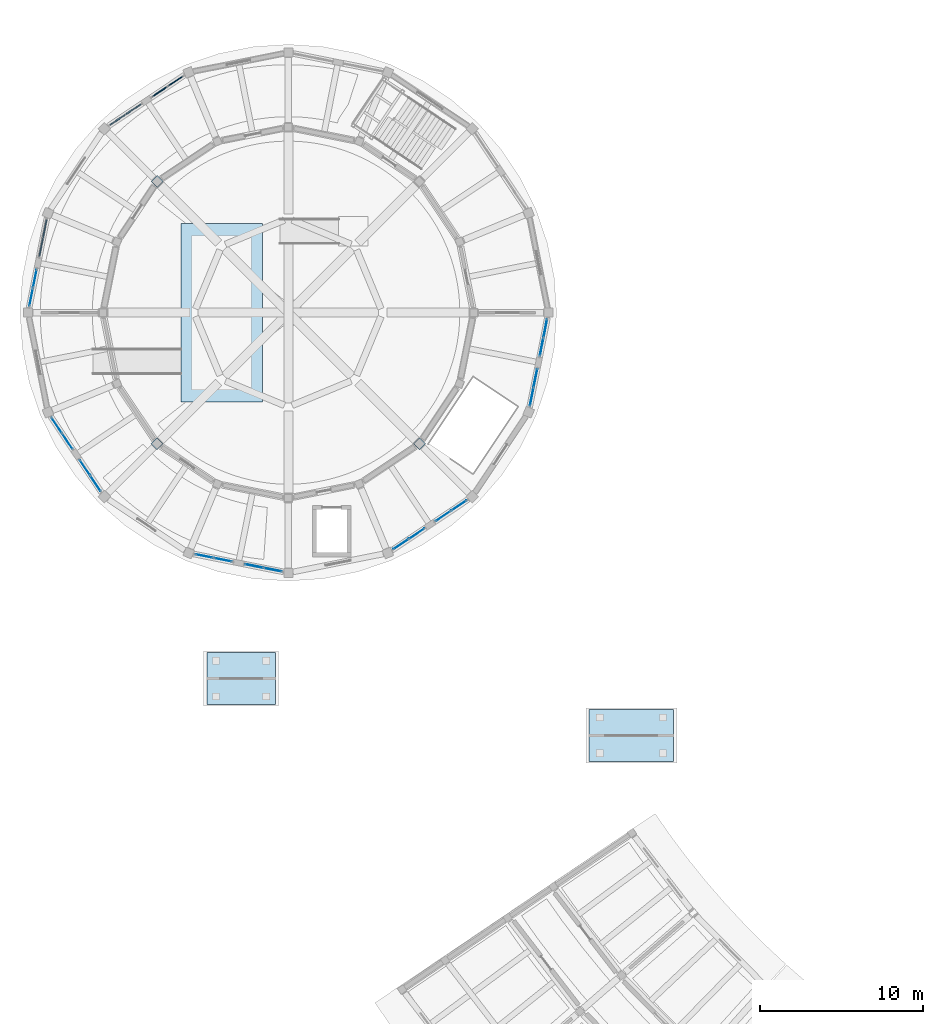
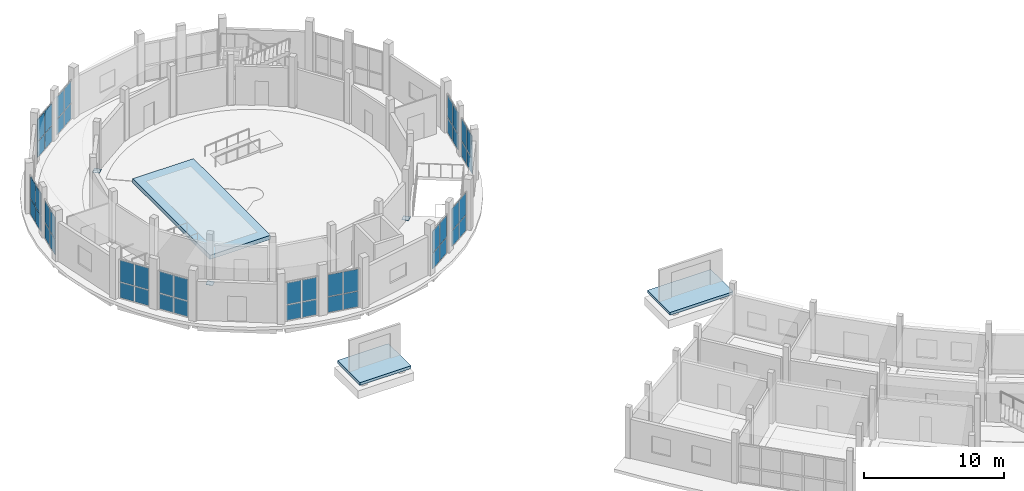
# One storey, part 54 of 92: 51 plates, 3 slabs, 12 elements without a shape of their own.
"""IFC4 building model written with IfcOpenShell, lengths in metres."""

from ifc_helpers import new_model, si_unit, direction, frame, origin, origin_2d, place, context, subcontext, project, spatial, polyline, rectangle, outline, extrude, material, layer, layer_set, type_object, element, aggregate, save


model = new_model("IFC4")

# Units and contexts
model_context = context("Model", 3, precision=1e-05, world=origin(), true_north=direction((0.0, 1.0)))
body_context = subcontext(model_context, "Body", "Model", "MODEL_VIEW")
ifc_project = project(units=[si_unit("LENGTHUNIT", "METRE"), si_unit("AREAUNIT", "SQUARE_METRE"), si_unit("VOLUMEUNIT", "CUBIC_METRE"), si_unit("PLANEANGLEUNIT", "RADIAN"), si_unit("MASSUNIT", "GRAM", prefix="KILO")], contexts=[model_context])

# Site, building, storey
site_placement = place(None, origin())
site = spatial("IfcSite", under=ifc_project, at=site_placement, CompositionType="ELEMENT")
building_placement = place(site_placement, origin())
building = spatial("IfcBuilding", under=site, at=building_placement, Name="Caldaven Crescent School", CompositionType="ELEMENT")
storey_placement = place(building_placement, origin())
storey = spatial("IfcBuildingStorey", under=building, at=storey_placement, Name="L00", CompositionType="ELEMENT", Elevation=0.0)

# Plates
ifc_material_1 = material(Name="Steel ASTM A572 Grade 50", Category="steel")
ifc_layer_1 = layer(ifc_material_1, 0.02001953125)
ifc_layer_set_1 = layer_set([ifc_layer_1], Name="Steel ASTM A572 Grade 50")
plate_type_1 = type_object("IfcPlateType", Name="PLT-BAS1", PredefinedType="SHEET", material=ifc_layer_set_1)
for number, where, z_axis, x_axis, name in (
    (1, (15.43896484375, 106.56103515625, 0.0), (0.0, 0.0, 1.0), (-0.707106781187, 0.707106781187, 0.0), "PLT-BAS-V2-06"),
    (2, (15.43896484375, 90.43896484375, 0.0), (0.0, 0.0, 1.0), (-0.707106781187, -0.707106781187, 0.0), "PLT-BAS-V2-10"),
    (3, (31.56103515625, 90.43896484375, 0.0), (0.0, 0.0, 1.0), (0.707106781187, -0.707106781187, 0.0), "PLT-BAS-V2-14"),
):
    element("IfcPlate", number, at=place(storey_placement, frame(where, z_axis=z_axis, x_axis=x_axis)), inside=storey, type_object=plate_type_1, Name=name, PredefinedType="SHEET", context=body_context, shape_type="SweptSolid", body=[
        extrude(rectangle(XDim=0.52001953125, YDim=0.52001953125, at=origin_2d()), origin(), (0.0, 0.0, 1.0), 0.02001953125),
    ])

# Curtain wall, plates
ifc_material_2 = material(Name="Anodised aluminium AA 6063-T6 and low-E double glazing", Category="aluminium")
ifc_layer_2 = layer(ifc_material_2, 0.169921875)
ifc_layer_set_2 = layer_set([ifc_layer_2], Name="Anodised aluminium AA 6063-T6 and low-E double glazing")
curtain_wall_type_1 = type_object("IfcCurtainWallType", Name="CW-SYS1", PredefinedType="NOTDEFINED", material=ifc_layer_set_2)
curtain_wall_1_placement = place(storey_placement, origin())
curtain_wall_1 = element("IfcCurtainWall", 4, at=curtain_wall_1_placement, inside=storey, type_object=curtain_wall_type_1, Name="CW-L00-048", PredefinedType="NOTDEFINED")
ifc_material_3 = material(Name="Tempered low-E double glazing IGU", Category="glass")
ifc_layer_3 = layer(ifc_material_3, 0.02587890625)
ifc_layer_set_3 = layer_set([ifc_layer_3], Name="Tempered low-E double glazing IGU")
plate_type_2 = type_object("IfcPlateType", Name="PLT-CWP01", PredefinedType="CURTAIN_PANEL", material=ifc_layer_set_3)
plate_1_placement = place(storey_placement, frame((7.918212890625, 100.602294921875, 0.06494140625), z_axis=(0.0, 0.0, 1.0), x_axis=(-0.19509100343, -0.980785144861, 0.0)))
plate_1 = element("IfcPlate", 5, at=plate_1_placement, type_object=plate_type_2, Name="CW1 panel 1.1", PredefinedType="CURTAIN_PANEL", context=body_context, shape_type="SweptSolid", body=[
    extrude(rectangle(XDim=1.095703125, YDim=0.02587890625, at=origin_2d()), origin(), (0.0, 0.0, 1.0), 1.33056640625),
])
plate_2_placement = place(storey_placement, frame((7.918212890625, 100.602294921875, 1.46044921875), z_axis=(0.0, 0.0, 1.0), x_axis=(-0.19509100343, -0.980785144861, 0.0)))
plate_2 = element("IfcPlate", 6, at=plate_2_placement, type_object=plate_type_2, Name="CW1 panel 1.2", PredefinedType="CURTAIN_PANEL", context=body_context, shape_type="SweptSolid", body=[
    extrude(rectangle(XDim=1.095703125, YDim=0.02587890625, at=origin_2d()), origin(), (0.0, 0.0, 1.0), 1.87451171875),
])
plate_3_placement = place(storey_placement, frame((7.690673828125, 99.458984375, 0.06494140625), z_axis=(0.0, 0.0, 1.0), x_axis=(-0.19509100343, -0.980785144861, 0.0)))
plate_3 = element("IfcPlate", 7, at=plate_3_placement, type_object=plate_type_2, Name="CW1 panel 2.1", PredefinedType="CURTAIN_PANEL", context=body_context, shape_type="SweptSolid", body=[
    extrude(rectangle(XDim=1.095703125, YDim=0.02587890625, at=origin_2d()), origin(), (0.0, 0.0, 1.0), 1.33056640625),
])
plate_4_placement = place(storey_placement, frame((7.690673828125, 99.458984375, 1.46044921875), z_axis=(0.0, 0.0, 1.0), x_axis=(-0.19509100343, -0.980785144861, 0.0)))
plate_4 = element("IfcPlate", 8, at=plate_4_placement, type_object=plate_type_2, Name="CW1 panel 2.2", PredefinedType="CURTAIN_PANEL", context=body_context, shape_type="SweptSolid", body=[
    extrude(rectangle(XDim=1.095703125, YDim=0.02587890625, at=origin_2d()), origin(), (0.0, 0.0, 1.0), 1.87451171875),
])
aggregate(curtain_wall_1, [plate_1, plate_2, plate_3, plate_4])

ifc_layer_4 = layer(ifc_material_2, 0.18994140625)
ifc_layer_set_4 = layer_set([ifc_layer_4], Name="Anodised aluminium AA 6063-T6 and low-E double glazing")
curtain_wall_type_2 = type_object("IfcCurtainWallType", Name="CW-SYS2", PredefinedType="NOTDEFINED", material=ifc_layer_set_4)
curtain_wall_2_placement = place(storey_placement, origin())
curtain_wall_2 = element("IfcCurtainWall", 9, at=curtain_wall_2_placement, inside=storey, type_object=curtain_wall_type_2, Name="CW-L00-049", PredefinedType="NOTDEFINED")
ifc_layer_5 = layer(ifc_material_3, 0.028076171875)
ifc_layer_set_5 = layer_set([ifc_layer_5], Name="Tempered low-E double glazing IGU")
plate_type_3 = type_object("IfcPlateType", Name="PLT-CWP02", PredefinedType="CURTAIN_PANEL", material=ifc_layer_set_5)
plate_5_placement = place(storey_placement, frame((9.259765625, 91.566162109375, 0.06494140625), z_axis=(0.0, 0.0, 1.0), x_axis=(0.555569561758, -0.831470060825, 0.0)))
plate_5 = element("IfcPlate", 10, at=plate_5_placement, type_object=plate_type_3, Name="CW2 panel 1.1", PredefinedType="CURTAIN_PANEL", context=body_context, shape_type="SweptSolid", body=[
    extrude(rectangle(XDim=1.11083984375, YDim=0.028076171875, at=origin_2d()), origin(), (0.0, 0.0, 1.0), 1.33056640625),
])
plate_6_placement = place(storey_placement, frame((9.259765625, 91.566162109375, 1.46044921875), z_axis=(0.0, 0.0, 1.0), x_axis=(0.555569561758, -0.831470060825, 0.0)))
plate_6 = element("IfcPlate", 11, at=plate_6_placement, type_object=plate_type_3, Name="CW2 panel 1.2", PredefinedType="CURTAIN_PANEL", context=body_context, shape_type="SweptSolid", body=[
    extrude(rectangle(XDim=1.11083984375, YDim=0.028076171875, at=origin_2d()), origin(), (0.0, 0.0, 1.0), 1.87451171875),
])
plate_7_placement = place(storey_placement, frame((9.91015625, 90.5927734375, 0.06494140625), z_axis=(0.0, 0.0, 1.0), x_axis=(0.555569561758, -0.831470060825, 0.0)))
plate_7 = element("IfcPlate", 12, at=plate_7_placement, type_object=plate_type_3, Name="CW2 panel 2.1", PredefinedType="CURTAIN_PANEL", context=body_context, shape_type="SweptSolid", body=[
    extrude(rectangle(XDim=1.11083984375, YDim=0.028076171875, at=origin_2d()), origin(), (0.0, 0.0, 1.0), 1.33056640625),
])
plate_8_placement = place(storey_placement, frame((9.91015625, 90.5927734375, 1.46044921875), z_axis=(0.0, 0.0, 1.0), x_axis=(0.555569561758, -0.831470060825, 0.0)))
plate_8 = element("IfcPlate", 13, at=plate_8_placement, type_object=plate_type_3, Name="CW2 panel 2.2", PredefinedType="CURTAIN_PANEL", context=body_context, shape_type="SweptSolid", body=[
    extrude(rectangle(XDim=1.11083984375, YDim=0.028076171875, at=origin_2d()), origin(), (0.0, 0.0, 1.0), 1.87451171875),
])
aggregate(curtain_wall_2, [plate_5, plate_6, plate_7, plate_8])

ifc_layer_6 = layer(ifc_material_2, 0.2099609375)
ifc_layer_set_6 = layer_set([ifc_layer_6], Name="Anodised aluminium AA 6063-T6 and low-E double glazing")
curtain_wall_type_3 = type_object("IfcCurtainWallType", Name="CW-SYS3", PredefinedType="NOTDEFINED", material=ifc_layer_set_6)
curtain_wall_3_placement = place(storey_placement, origin())
curtain_wall_3 = element("IfcCurtainWall", 14, at=curtain_wall_3_placement, inside=storey, type_object=curtain_wall_type_3, Name="CW-L00-050", PredefinedType="NOTDEFINED")
ifc_layer_7 = layer(ifc_material_3, 0.030029296875)
ifc_layer_set_7 = layer_set([ifc_layer_7], Name="Tempered low-E double glazing IGU")
plate_type_4 = type_object("IfcPlateType", Name="PLT-CWP03", PredefinedType="CURTAIN_PANEL", material=ifc_layer_set_7)
plate_9_placement = place(storey_placement, frame((10.99462890625, 88.9697265625, 0.06982421875), z_axis=(0.0, 0.0, 1.0), x_axis=(0.555572440609, -0.831468137234, 0.0)))
plate_9 = element("IfcPlate", 15, at=plate_9_placement, type_object=plate_type_4, Name="CW3 panel 1.1", PredefinedType="CURTAIN_PANEL", context=body_context, shape_type="SweptSolid", body=[
    extrude(rectangle(XDim=1.103271484375, YDim=0.030029296875, at=origin_2d()), origin(), (0.0, 0.0, 1.0), 1.322998046875),
])
plate_10_placement = place(storey_placement, frame((10.99462890625, 88.9697265625, 1.462890625), z_axis=(0.0, 0.0, 1.0), x_axis=(0.555572440609, -0.831468137234, 0.0)))
plate_10 = element("IfcPlate", 16, at=plate_10_placement, type_object=plate_type_4, Name="CW3 panel 1.2", PredefinedType="CURTAIN_PANEL", context=body_context, shape_type="SweptSolid", body=[
    extrude(rectangle(XDim=1.103271484375, YDim=0.030029296875, at=origin_2d()), origin(), (0.0, 0.0, 1.0), 1.866943359375),
])
plate_11_placement = place(storey_placement, frame((11.643798828125, 87.998291015625, 0.06982421875), z_axis=(0.0, 0.0, 1.0), x_axis=(0.555572440609, -0.831468137234, 0.0)))
plate_11 = element("IfcPlate", 17, at=plate_11_placement, type_object=plate_type_4, Name="CW3 panel 2.1", PredefinedType="CURTAIN_PANEL", context=body_context, shape_type="SweptSolid", body=[
    extrude(rectangle(XDim=1.103271484375, YDim=0.030029296875, at=origin_2d()), origin(), (0.0, 0.0, 1.0), 1.322998046875),
])
plate_12_placement = place(storey_placement, frame((11.643798828125, 87.998291015625, 1.462890625), z_axis=(0.0, 0.0, 1.0), x_axis=(0.555572440609, -0.831468137234, 0.0)))
plate_12 = element("IfcPlate", 18, at=plate_12_placement, type_object=plate_type_4, Name="CW3 panel 2.2", PredefinedType="CURTAIN_PANEL", context=body_context, shape_type="SweptSolid", body=[
    extrude(rectangle(XDim=1.103271484375, YDim=0.030029296875, at=origin_2d()), origin(), (0.0, 0.0, 1.0), 1.866943359375),
])
aggregate(curtain_wall_3, [plate_9, plate_10, plate_11, plate_12])

ifc_layer_8 = layer(ifc_material_2, 0.22998046875)
ifc_layer_set_8 = layer_set([ifc_layer_8], Name="Anodised aluminium AA 6063-T6 and low-E double glazing")
curtain_wall_type_4 = type_object("IfcCurtainWallType", Name="CW-SYS4", PredefinedType="NOTDEFINED", material=ifc_layer_set_8)
curtain_wall_4_placement = place(storey_placement, origin())
curtain_wall_4 = element("IfcCurtainWall", 19, at=curtain_wall_4_placement, inside=storey, type_object=curtain_wall_type_4, Name="CW-L00-051", PredefinedType="NOTDEFINED")
ifc_layer_9 = layer(ifc_material_3, 0.031982421875)
ifc_layer_set_9 = layer_set([ifc_layer_9], Name="Tempered low-E double glazing IGU")
plate_type_5 = type_object("IfcPlateType", Name="PLT-CWP04", PredefinedType="CURTAIN_PANEL", material=ifc_layer_set_9)
plate_13_placement = place(storey_placement, frame((18.336181640625, 83.527099609375, 0.06982421875), z_axis=(0.0, 0.0, 1.0), x_axis=(0.980785941636, -0.195086997747, 0.0)))
plate_13 = element("IfcPlate", 20, at=plate_13_placement, type_object=plate_type_5, Name="CW4 panel 1.1", PredefinedType="CURTAIN_PANEL", context=body_context, shape_type="SweptSolid", body=[
    extrude(rectangle(XDim=1.095703125, YDim=0.031982421875, at=origin_2d()), origin(), (0.0, 0.0, 1.0), 1.322998046875),
])
plate_14_placement = place(storey_placement, frame((18.336181640625, 83.527099609375, 1.462890625), z_axis=(0.0, 0.0, 1.0), x_axis=(0.980785941636, -0.195086997747, 0.0)))
plate_14 = element("IfcPlate", 21, at=plate_14_placement, type_object=plate_type_5, Name="CW4 panel 1.2", PredefinedType="CURTAIN_PANEL", context=body_context, shape_type="SweptSolid", body=[
    extrude(rectangle(XDim=1.095703125, YDim=0.031982421875, at=origin_2d()), origin(), (0.0, 0.0, 1.0), 1.866943359375),
])
plate_15_placement = place(storey_placement, frame((19.4794921875, 83.2998046875, 0.06982421875), z_axis=(0.0, 0.0, 1.0), x_axis=(0.980785941636, -0.195086997747, 0.0)))
plate_15 = element("IfcPlate", 22, at=plate_15_placement, type_object=plate_type_5, Name="CW4 panel 2.1", PredefinedType="CURTAIN_PANEL", context=body_context, shape_type="SweptSolid", body=[
    extrude(rectangle(XDim=1.095703125, YDim=0.031982421875, at=origin_2d()), origin(), (0.0, 0.0, 1.0), 1.322998046875),
])
plate_16_placement = place(storey_placement, frame((19.4794921875, 83.2998046875, 1.462890625), z_axis=(0.0, 0.0, 1.0), x_axis=(0.980785941636, -0.195086997747, 0.0)))
plate_16 = element("IfcPlate", 23, at=plate_16_placement, type_object=plate_type_5, Name="CW4 panel 2.2", PredefinedType="CURTAIN_PANEL", context=body_context, shape_type="SweptSolid", body=[
    extrude(rectangle(XDim=1.095703125, YDim=0.031982421875, at=origin_2d()), origin(), (0.0, 0.0, 1.0), 1.866943359375),
])
aggregate(curtain_wall_4, [plate_13, plate_14, plate_15, plate_16])

curtain_wall_5_placement = place(storey_placement, origin())
curtain_wall_5 = element("IfcCurtainWall", 24, at=curtain_wall_5_placement, inside=storey, type_object=curtain_wall_type_1, Name="CW-L00-052", PredefinedType="NOTDEFINED")
ifc_layer_10 = layer(ifc_material_3, 0.033935546875)
ifc_layer_set_10 = layer_set([ifc_layer_10], Name="Tempered low-E double glazing IGU")
plate_type_6 = type_object("IfcPlateType", Name="PLT-CWP05", PredefinedType="CURTAIN_PANEL", material=ifc_layer_set_10)
plate_17_placement = place(storey_placement, frame((21.395263671875, 82.918701171875, 0.06005859375), z_axis=(0.0, 0.0, 1.0), x_axis=(0.980785144861, -0.19509100343, 0.0)))
plate_17 = element("IfcPlate", 25, at=plate_17_placement, type_object=plate_type_6, Name="CW1 panel 1.1", PredefinedType="CURTAIN_PANEL", context=body_context, shape_type="SweptSolid", body=[
    extrude(rectangle(XDim=1.11083984375, YDim=0.033935546875, at=origin_2d()), origin(), (0.0, 0.0, 1.0), 1.337890625),
])
plate_18_placement = place(storey_placement, frame((21.395263671875, 82.918701171875, 1.4580078125), z_axis=(0.0, 0.0, 1.0), x_axis=(0.980785144861, -0.19509100343, 0.0)))
plate_18 = element("IfcPlate", 26, at=plate_18_placement, type_object=plate_type_6, Name="CW1 panel 1.2", PredefinedType="CURTAIN_PANEL", context=body_context, shape_type="SweptSolid", body=[
    extrude(rectangle(XDim=1.11083984375, YDim=0.033935546875, at=origin_2d()), origin(), (0.0, 0.0, 1.0), 1.882080078125),
])
plate_19_placement = place(storey_placement, frame((22.54345703125, 82.690185546875, 0.06005859375), z_axis=(0.0, 0.0, 1.0), x_axis=(0.980785144861, -0.19509100343, 0.0)))
plate_19 = element("IfcPlate", 27, at=plate_19_placement, type_object=plate_type_6, Name="CW1 panel 2.1", PredefinedType="CURTAIN_PANEL", context=body_context, shape_type="SweptSolid", body=[
    extrude(rectangle(XDim=1.11083984375, YDim=0.033935546875, at=origin_2d()), origin(), (0.0, 0.0, 1.0), 1.337890625),
])
plate_20_placement = place(storey_placement, frame((22.54345703125, 82.690185546875, 1.4580078125), z_axis=(0.0, 0.0, 1.0), x_axis=(0.980785144861, -0.19509100343, 0.0)))
plate_20 = element("IfcPlate", 28, at=plate_20_placement, type_object=plate_type_6, Name="CW1 panel 2.2", PredefinedType="CURTAIN_PANEL", context=body_context, shape_type="SweptSolid", body=[
    extrude(rectangle(XDim=1.11083984375, YDim=0.033935546875, at=origin_2d()), origin(), (0.0, 0.0, 1.0), 1.882080078125),
])
aggregate(curtain_wall_5, [plate_17, plate_18, plate_19, plate_20])

curtain_wall_6_placement = place(storey_placement, origin())
curtain_wall_6 = element("IfcCurtainWall", 29, at=curtain_wall_6_placement, inside=storey, type_object=curtain_wall_type_2, Name="CW-L00-053", PredefinedType="NOTDEFINED")
ifc_layer_11 = layer(ifc_material_3, 0.035888671875)
ifc_layer_set_11 = layer_set([ifc_layer_11], Name="Tempered low-E double glazing IGU")
plate_type_7 = type_object("IfcPlateType", Name="PLT-CWP06", PredefinedType="CURTAIN_PANEL", material=ifc_layer_set_11)
plate_21_placement = place(storey_placement, frame((30.43505859375, 84.260498046875, 0.06005859375), z_axis=(0.0, 0.0, 1.0), x_axis=(0.831470060825, 0.555569561758, 0.0)))
plate_21 = element("IfcPlate", 30, at=plate_21_placement, type_object=plate_type_7, Name="CW2 panel 1.1", PredefinedType="CURTAIN_PANEL", context=body_context, shape_type="SweptSolid", body=[
    extrude(rectangle(XDim=1.103271484375, YDim=0.035888671875, at=origin_2d()), origin(), (0.0, 0.0, 1.0), 1.337890625),
])
plate_22_placement = place(storey_placement, frame((30.43505859375, 84.260498046875, 1.4580078125), z_axis=(0.0, 0.0, 1.0), x_axis=(0.831470060825, 0.555569561758, 0.0)))
plate_22 = element("IfcPlate", 31, at=plate_22_placement, type_object=plate_type_7, Name="CW2 panel 1.2", PredefinedType="CURTAIN_PANEL", context=body_context, shape_type="SweptSolid", body=[
    extrude(rectangle(XDim=1.103271484375, YDim=0.035888671875, at=origin_2d()), origin(), (0.0, 0.0, 1.0), 1.882080078125),
])
plate_23_placement = place(storey_placement, frame((31.40625, 84.909423828125, 0.06005859375), z_axis=(0.0, 0.0, 1.0), x_axis=(0.831470060825, 0.555569561758, 0.0)))
plate_23 = element("IfcPlate", 32, at=plate_23_placement, type_object=plate_type_7, Name="CW2 panel 2.1", PredefinedType="CURTAIN_PANEL", context=body_context, shape_type="SweptSolid", body=[
    extrude(rectangle(XDim=1.103271484375, YDim=0.035888671875, at=origin_2d()), origin(), (0.0, 0.0, 1.0), 1.337890625),
])
plate_24_placement = place(storey_placement, frame((31.40625, 84.909423828125, 1.4580078125), z_axis=(0.0, 0.0, 1.0), x_axis=(0.831470060825, 0.555569561758, 0.0)))
plate_24 = element("IfcPlate", 33, at=plate_24_placement, type_object=plate_type_7, Name="CW2 panel 2.2", PredefinedType="CURTAIN_PANEL", context=body_context, shape_type="SweptSolid", body=[
    extrude(rectangle(XDim=1.103271484375, YDim=0.035888671875, at=origin_2d()), origin(), (0.0, 0.0, 1.0), 1.882080078125),
])
aggregate(curtain_wall_6, [plate_21, plate_22, plate_23, plate_24])

curtain_wall_7_placement = place(storey_placement, origin())
curtain_wall_7 = element("IfcCurtainWall", 34, at=curtain_wall_7_placement, inside=storey, type_object=curtain_wall_type_3, Name="CW-L00-054", PredefinedType="NOTDEFINED")
ifc_layer_12 = layer(ifc_material_3, 0.0380859375)
ifc_layer_set_12 = layer_set([ifc_layer_12], Name="Tempered low-E double glazing IGU")
plate_type_8 = type_object("IfcPlateType", Name="PLT-CWP07", PredefinedType="CURTAIN_PANEL", material=ifc_layer_set_12)
plate_25_placement = place(storey_placement, frame((33.031494140625, 85.995361328125, 0.06494140625), z_axis=(0.0, 0.0, 1.0), x_axis=(0.831468137234, 0.555572440609, 0.0)))
plate_25 = element("IfcPlate", 35, at=plate_25_placement, type_object=plate_type_8, Name="CW3 panel 1.1", PredefinedType="CURTAIN_PANEL", context=body_context, shape_type="SweptSolid", body=[
    extrude(rectangle(XDim=1.095703125, YDim=0.0380859375, at=origin_2d()), origin(), (0.0, 0.0, 1.0), 1.33056640625),
])
plate_26_placement = place(storey_placement, frame((33.031494140625, 85.995361328125, 1.46044921875), z_axis=(0.0, 0.0, 1.0), x_axis=(0.831468137234, 0.555572440609, 0.0)))
plate_26 = element("IfcPlate", 36, at=plate_26_placement, type_object=plate_type_8, Name="CW3 panel 1.2", PredefinedType="CURTAIN_PANEL", context=body_context, shape_type="SweptSolid", body=[
    extrude(rectangle(XDim=1.095703125, YDim=0.0380859375, at=origin_2d()), origin(), (0.0, 0.0, 1.0), 1.87451171875),
])
plate_27_placement = place(storey_placement, frame((34.000732421875, 86.64306640625, 0.06494140625), z_axis=(0.0, 0.0, 1.0), x_axis=(0.831468137234, 0.555572440609, 0.0)))
plate_27 = element("IfcPlate", 37, at=plate_27_placement, type_object=plate_type_8, Name="CW3 panel 2.1", PredefinedType="CURTAIN_PANEL", context=body_context, shape_type="SweptSolid", body=[
    extrude(rectangle(XDim=1.095703125, YDim=0.0380859375, at=origin_2d()), origin(), (0.0, 0.0, 1.0), 1.33056640625),
])
plate_28_placement = place(storey_placement, frame((34.000732421875, 86.64306640625, 1.46044921875), z_axis=(0.0, 0.0, 1.0), x_axis=(0.831468137234, 0.555572440609, 0.0)))
plate_28 = element("IfcPlate", 38, at=plate_28_placement, type_object=plate_type_8, Name="CW3 panel 2.2", PredefinedType="CURTAIN_PANEL", context=body_context, shape_type="SweptSolid", body=[
    extrude(rectangle(XDim=1.095703125, YDim=0.0380859375, at=origin_2d()), origin(), (0.0, 0.0, 1.0), 1.87451171875),
])
aggregate(curtain_wall_7, [plate_25, plate_26, plate_27, plate_28])

curtain_wall_8_placement = place(storey_placement, origin())
curtain_wall_8 = element("IfcCurtainWall", 39, at=curtain_wall_8_placement, inside=storey, type_object=curtain_wall_type_4, Name="CW-L00-055", PredefinedType="NOTDEFINED")
ifc_layer_13 = layer(ifc_material_3, 0.0400390625)
ifc_layer_set_13 = layer_set([ifc_layer_13], Name="Tempered low-E double glazing IGU")
plate_type_9 = type_object("IfcPlateType", Name="PLT-CWP08", PredefinedType="CURTAIN_PANEL", material=ifc_layer_set_13)
plate_29_placement = place(storey_placement, frame((38.472412109375, 93.333740234375, 0.06494140625), z_axis=(0.0, 0.0, 1.0), x_axis=(0.195086997747, 0.980785941636, 0.0)))
plate_29 = element("IfcPlate", 40, at=plate_29_placement, type_object=plate_type_9, Name="CW4 panel 1.1", PredefinedType="CURTAIN_PANEL", context=body_context, shape_type="SweptSolid", body=[
    extrude(rectangle(XDim=1.11083984375, YDim=0.0400390625, at=origin_2d()), origin(), (0.0, 0.0, 1.0), 1.33056640625),
])
plate_30_placement = place(storey_placement, frame((38.472412109375, 93.333740234375, 1.46044921875), z_axis=(0.0, 0.0, 1.0), x_axis=(0.195086997747, 0.980785941636, 0.0)))
plate_30 = element("IfcPlate", 41, at=plate_30_placement, type_object=plate_type_9, Name="CW4 panel 1.2", PredefinedType="CURTAIN_PANEL", context=body_context, shape_type="SweptSolid", body=[
    extrude(rectangle(XDim=1.11083984375, YDim=0.0400390625, at=origin_2d()), origin(), (0.0, 0.0, 1.0), 1.87451171875),
])
plate_31_placement = place(storey_placement, frame((38.70068359375, 94.48193359375, 0.06494140625), z_axis=(0.0, 0.0, 1.0), x_axis=(0.195086997747, 0.980785941636, 0.0)))
plate_31 = element("IfcPlate", 42, at=plate_31_placement, type_object=plate_type_9, Name="CW4 panel 2.1", PredefinedType="CURTAIN_PANEL", context=body_context, shape_type="SweptSolid", body=[
    extrude(rectangle(XDim=1.11083984375, YDim=0.0400390625, at=origin_2d()), origin(), (0.0, 0.0, 1.0), 1.33056640625),
])
plate_32_placement = place(storey_placement, frame((38.70068359375, 94.48193359375, 1.46044921875), z_axis=(0.0, 0.0, 1.0), x_axis=(0.195086997747, 0.980785941636, 0.0)))
plate_32 = element("IfcPlate", 43, at=plate_32_placement, type_object=plate_type_9, Name="CW4 panel 2.2", PredefinedType="CURTAIN_PANEL", context=body_context, shape_type="SweptSolid", body=[
    extrude(rectangle(XDim=1.11083984375, YDim=0.0400390625, at=origin_2d()), origin(), (0.0, 0.0, 1.0), 1.87451171875),
])
aggregate(curtain_wall_8, [plate_29, plate_30, plate_31, plate_32])

curtain_wall_9_placement = place(storey_placement, origin())
curtain_wall_9 = element("IfcCurtainWall", 44, at=curtain_wall_9_placement, inside=storey, type_object=curtain_wall_type_1, Name="CW-L00-056", PredefinedType="NOTDEFINED")
ifc_layer_14 = layer(ifc_material_3, 0.0419921875)
ifc_layer_set_14 = layer_set([ifc_layer_14], Name="Tempered low-E double glazing IGU")
plate_type_10 = type_object("IfcPlateType", Name="PLT-CWP09", PredefinedType="CURTAIN_PANEL", material=ifc_layer_set_14)
plate_33_placement = place(storey_placement, frame((39.08154296875, 96.396484375, 0.06982421875), z_axis=(0.0, 0.0, 1.0), x_axis=(0.19509100343, 0.980785144861, 0.0)))
plate_33 = element("IfcPlate", 45, at=plate_33_placement, type_object=plate_type_10, Name="CW1 panel 1.1", PredefinedType="CURTAIN_PANEL", context=body_context, shape_type="SweptSolid", body=[
    extrude(rectangle(XDim=1.103271484375, YDim=0.0419921875, at=origin_2d()), origin(), (0.0, 0.0, 1.0), 1.322998046875),
])
plate_34_placement = place(storey_placement, frame((39.08154296875, 96.396484375, 1.462890625), z_axis=(0.0, 0.0, 1.0), x_axis=(0.19509100343, 0.980785144861, 0.0)))
plate_34 = element("IfcPlate", 46, at=plate_34_placement, type_object=plate_type_10, Name="CW1 panel 1.2", PredefinedType="CURTAIN_PANEL", context=body_context, shape_type="SweptSolid", body=[
    extrude(rectangle(XDim=1.103271484375, YDim=0.0419921875, at=origin_2d()), origin(), (0.0, 0.0, 1.0), 1.866943359375),
])
plate_35_placement = place(storey_placement, frame((39.3095703125, 97.542236328125, 0.06982421875), z_axis=(0.0, 0.0, 1.0), x_axis=(0.19509100343, 0.980785144861, 0.0)))
plate_35 = element("IfcPlate", 47, at=plate_35_placement, type_object=plate_type_10, Name="CW1 panel 2.1", PredefinedType="CURTAIN_PANEL", context=body_context, shape_type="SweptSolid", body=[
    extrude(rectangle(XDim=1.103271484375, YDim=0.0419921875, at=origin_2d()), origin(), (0.0, 0.0, 1.0), 1.322998046875),
])
plate_36_placement = place(storey_placement, frame((39.3095703125, 97.542236328125, 1.462890625), z_axis=(0.0, 0.0, 1.0), x_axis=(0.19509100343, 0.980785144861, 0.0)))
plate_36 = element("IfcPlate", 48, at=plate_36_placement, type_object=plate_type_10, Name="CW1 panel 2.2", PredefinedType="CURTAIN_PANEL", context=body_context, shape_type="SweptSolid", body=[
    extrude(rectangle(XDim=1.103271484375, YDim=0.0419921875, at=origin_2d()), origin(), (0.0, 0.0, 1.0), 1.866943359375),
])
aggregate(curtain_wall_9, [plate_33, plate_34, plate_35, plate_36])

curtain_wall_10_placement = place(storey_placement, origin())
curtain_wall_10 = element("IfcCurtainWall", 49, at=curtain_wall_10_placement, inside=storey, type_object=curtain_wall_type_2, Name="CW-L00-045", PredefinedType="NOTDEFINED")
ifc_material_4 = material(Name="Insulated bronze aluminium spandrel panel", Category="aluminium")
ifc_layer_15 = layer(ifc_material_4, 0.068115234375)
ifc_layer_set_15 = layer_set([ifc_layer_15], Name="Insulated bronze aluminium spandrel panel")
plate_type_11 = type_object("IfcPlateType", Name="PLT-CWP22", PredefinedType="CURTAIN_PANEL", material=ifc_layer_set_15)
plate_37_placement = place(storey_placement, frame((16.56396484375, 112.73876953125, 0.06982421875), z_axis=(0.0, 0.0, 1.0), x_axis=(-0.831470060825, -0.555569561758, 0.0)))
plate_37 = element("IfcPlate", 50, at=plate_37_placement, type_object=plate_type_11, Name="CW2 panel 1.1", PredefinedType="CURTAIN_PANEL", context=body_context, shape_type="SweptSolid", body=[
    extrude(rectangle(XDim=1.095703125, YDim=0.068115234375, at=origin_2d()), origin(), (0.0, 0.0, 1.0), 1.322998046875),
])
plate_38_placement = place(storey_placement, frame((16.56396484375, 112.73876953125, 1.462890625), z_axis=(0.0, 0.0, 1.0), x_axis=(-0.831470060825, -0.555569561758, 0.0)))
plate_38 = element("IfcPlate", 51, at=plate_38_placement, type_object=plate_type_11, Name="CW2 panel 1.2", PredefinedType="CURTAIN_PANEL", context=body_context, shape_type="SweptSolid", body=[
    extrude(rectangle(XDim=1.095703125, YDim=0.068115234375, at=origin_2d()), origin(), (0.0, 0.0, 1.0), 1.866943359375),
])
plate_39_placement = place(storey_placement, frame((15.5947265625, 112.091064453125, 0.06982421875), z_axis=(0.0, 0.0, 1.0), x_axis=(-0.831470060825, -0.555569561758, 0.0)))
plate_39 = element("IfcPlate", 52, at=plate_39_placement, type_object=plate_type_11, Name="CW2 panel 2.1", PredefinedType="CURTAIN_PANEL", context=body_context, shape_type="SweptSolid", body=[
    extrude(rectangle(XDim=1.095703125, YDim=0.068115234375, at=origin_2d()), origin(), (0.0, 0.0, 1.0), 1.322998046875),
])
plate_40_placement = place(storey_placement, frame((15.5947265625, 112.091064453125, 1.462890625), z_axis=(0.0, 0.0, 1.0), x_axis=(-0.831470060825, -0.555569561758, 0.0)))
plate_40 = element("IfcPlate", 53, at=plate_40_placement, type_object=plate_type_11, Name="CW2 panel 2.2", PredefinedType="CURTAIN_PANEL", context=body_context, shape_type="SweptSolid", body=[
    extrude(rectangle(XDim=1.095703125, YDim=0.068115234375, at=origin_2d()), origin(), (0.0, 0.0, 1.0), 1.866943359375),
])
aggregate(curtain_wall_10, [plate_37, plate_38, plate_39, plate_40])

curtain_wall_11_placement = place(storey_placement, origin())
curtain_wall_11 = element("IfcCurtainWall", 54, at=curtain_wall_11_placement, inside=storey, type_object=curtain_wall_type_3, Name="CW-L00-046", PredefinedType="NOTDEFINED")
ifc_layer_16 = layer(ifc_material_4, 0.070068359375)
ifc_layer_set_16 = layer_set([ifc_layer_16], Name="Insulated bronze aluminium spandrel panel")
plate_type_12 = type_object("IfcPlateType", Name="PLT-CWP23", PredefinedType="CURTAIN_PANEL", material=ifc_layer_set_16)
plate_41_placement = place(storey_placement, frame((13.970703125, 111.006103515625, 0.06005859375), z_axis=(0.0, 0.0, 1.0), x_axis=(-0.831468137234, -0.555572440609, 0.0)))
plate_41 = element("IfcPlate", 55, at=plate_41_placement, type_object=plate_type_12, Name="CW3 panel 1.1", PredefinedType="CURTAIN_PANEL", context=body_context, shape_type="SweptSolid", body=[
    extrude(rectangle(XDim=1.11083984375, YDim=0.070068359375, at=origin_2d()), origin(), (0.0, 0.0, 1.0), 1.337890625),
])
plate_42_placement = place(storey_placement, frame((13.970703125, 111.006103515625, 1.4580078125), z_axis=(0.0, 0.0, 1.0), x_axis=(-0.831468137234, -0.555572440609, 0.0)))
plate_42 = element("IfcPlate", 56, at=plate_42_placement, type_object=plate_type_12, Name="CW3 panel 1.2", PredefinedType="CURTAIN_PANEL", context=body_context, shape_type="SweptSolid", body=[
    extrude(rectangle(XDim=1.11083984375, YDim=0.070068359375, at=origin_2d()), origin(), (0.0, 0.0, 1.0), 1.882080078125),
])
plate_43_placement = place(storey_placement, frame((12.997314453125, 110.35546875, 0.06005859375), z_axis=(0.0, 0.0, 1.0), x_axis=(-0.831468137234, -0.555572440609, 0.0)))
plate_43 = element("IfcPlate", 57, at=plate_43_placement, type_object=plate_type_12, Name="CW3 panel 2.1", PredefinedType="CURTAIN_PANEL", context=body_context, shape_type="SweptSolid", body=[
    extrude(rectangle(XDim=1.11083984375, YDim=0.070068359375, at=origin_2d()), origin(), (0.0, 0.0, 1.0), 1.337890625),
])
plate_44_placement = place(storey_placement, frame((12.997314453125, 110.35546875, 1.4580078125), z_axis=(0.0, 0.0, 1.0), x_axis=(-0.831468137234, -0.555572440609, 0.0)))
plate_44 = element("IfcPlate", 58, at=plate_44_placement, type_object=plate_type_12, Name="CW3 panel 2.2", PredefinedType="CURTAIN_PANEL", context=body_context, shape_type="SweptSolid", body=[
    extrude(rectangle(XDim=1.11083984375, YDim=0.070068359375, at=origin_2d()), origin(), (0.0, 0.0, 1.0), 1.882080078125),
])
aggregate(curtain_wall_11, [plate_41, plate_42, plate_43, plate_44])

curtain_wall_12_placement = place(storey_placement, origin())
curtain_wall_12 = element("IfcCurtainWall", 59, at=curtain_wall_12_placement, inside=storey, type_object=curtain_wall_type_4, Name="CW-L00-047", PredefinedType="NOTDEFINED")
ifc_layer_17 = layer(ifc_material_4, 0.072021484375)
ifc_layer_set_17 = layer_set([ifc_layer_17], Name="Insulated bronze aluminium spandrel panel")
plate_type_13 = type_object("IfcPlateType", Name="PLT-CWP24", PredefinedType="CURTAIN_PANEL", material=ifc_layer_set_17)
plate_45_placement = place(storey_placement, frame((8.52734375, 103.6650390625, 0.06005859375), z_axis=(0.0, 0.0, 1.0), x_axis=(-0.195086997747, -0.980785941636, 0.0)))
plate_45 = element("IfcPlate", 60, at=plate_45_placement, type_object=plate_type_13, Name="CW4 panel 1.1", PredefinedType="CURTAIN_PANEL", context=body_context, shape_type="SweptSolid", body=[
    extrude(rectangle(XDim=1.103271484375, YDim=0.072021484375, at=origin_2d()), origin(), (0.0, 0.0, 1.0), 1.337890625),
])
plate_46_placement = place(storey_placement, frame((8.52734375, 103.6650390625, 1.4580078125), z_axis=(0.0, 0.0, 1.0), x_axis=(-0.195086997747, -0.980785941636, 0.0)))
plate_46 = element("IfcPlate", 61, at=plate_46_placement, type_object=plate_type_13, Name="CW4 panel 1.2", PredefinedType="CURTAIN_PANEL", context=body_context, shape_type="SweptSolid", body=[
    extrude(rectangle(XDim=1.103271484375, YDim=0.072021484375, at=origin_2d()), origin(), (0.0, 0.0, 1.0), 1.882080078125),
])
plate_47_placement = place(storey_placement, frame((8.299560546875, 102.519287109375, 0.06005859375), z_axis=(0.0, 0.0, 1.0), x_axis=(-0.195086997747, -0.980785941636, 0.0)))
plate_47 = element("IfcPlate", 62, at=plate_47_placement, type_object=plate_type_13, Name="CW4 panel 2.1", PredefinedType="CURTAIN_PANEL", context=body_context, shape_type="SweptSolid", body=[
    extrude(rectangle(XDim=1.103271484375, YDim=0.072021484375, at=origin_2d()), origin(), (0.0, 0.0, 1.0), 1.337890625),
])
plate_48_placement = place(storey_placement, frame((8.299560546875, 102.519287109375, 1.4580078125), z_axis=(0.0, 0.0, 1.0), x_axis=(-0.195086997747, -0.980785941636, 0.0)))
plate_48 = element("IfcPlate", 63, at=plate_48_placement, type_object=plate_type_13, Name="CW4 panel 2.2", PredefinedType="CURTAIN_PANEL", context=body_context, shape_type="SweptSolid", body=[
    extrude(rectangle(XDim=1.103271484375, YDim=0.072021484375, at=origin_2d()), origin(), (0.0, 0.0, 1.0), 1.882080078125),
])
aggregate(curtain_wall_12, [plate_45, plate_46, plate_47, plate_48])

# Slabs
ifc_material_5 = material(Name="Concrete C30/37", Category="concrete")
ifc_layer_18 = layer(ifc_material_5, 0.239990234375)
ifc_layer_set_18 = layer_set([ifc_layer_18], Name="Concrete C30/37")
slab_type_1 = type_object("IfcSlabType", Name="SLB-BS2", PredefinedType="BASESLAB", material=ifc_layer_set_18)
slab_1_placement = place(storey_placement, frame((0.0, 0.0, -0.239990234375)))
element("IfcSlab", 64, at=slab_1_placement, inside=storey, type_object=slab_type_1, Name="SLB-GATE-CG1", PredefinedType="BASESLAB", context=body_context, shape_type="SweptSolid", body=[
    extrude(outline(polyline([(42.0, 70.89990234375), (47.199951171875, 70.89990234375), (47.199951171875, 74.10009765625), (42.0, 74.10009765625), (42.0, 70.89990234375)])), origin(), (0.0, 0.0, 1.0), 0.239990234375),
])
slab_2_placement = place(storey_placement, frame((0.0, 0.0, -0.239990234375)))
element("IfcSlab", 65, at=slab_2_placement, inside=storey, type_object=slab_type_1, Name="SLB-GATE-CG5", PredefinedType="BASESLAB", context=body_context, shape_type="SweptSolid", body=[
    extrude(outline(polyline([(18.5, 74.39990234375), (22.699951171875, 74.39990234375), (22.699951171875, 77.60009765625), (18.5, 77.60009765625), (18.5, 74.39990234375)])), origin(), (0.0, 0.0, 1.0), 0.239990234375),
])
ifc_layer_19 = layer(ifc_material_5, 0.280029296875)
ifc_layer_set_19 = layer_set([ifc_layer_19], Name="Concrete C30/37")
slab_type_2 = type_object("IfcSlabType", Name="SLB-STG", PredefinedType="FLOOR", material=ifc_layer_set_19)
slab_3_placement = place(storey_placement, origin())
element("IfcSlab", 66, at=slab_3_placement, inside=storey, type_object=slab_type_2, Name="SLB-V2-STAGE", PredefinedType="FLOOR", context=body_context, shape_type="SweptSolid", body=[
    extrude(outline(polyline([(16.89990234375, 93.0), (21.89990234375, 93.0), (21.89990234375, 104.0), (16.89990234375, 104.0), (16.89990234375, 93.0)])), origin(), (0.0, 0.0, 1.0), 0.360107421875),
])

save(model, "model.ifc")
